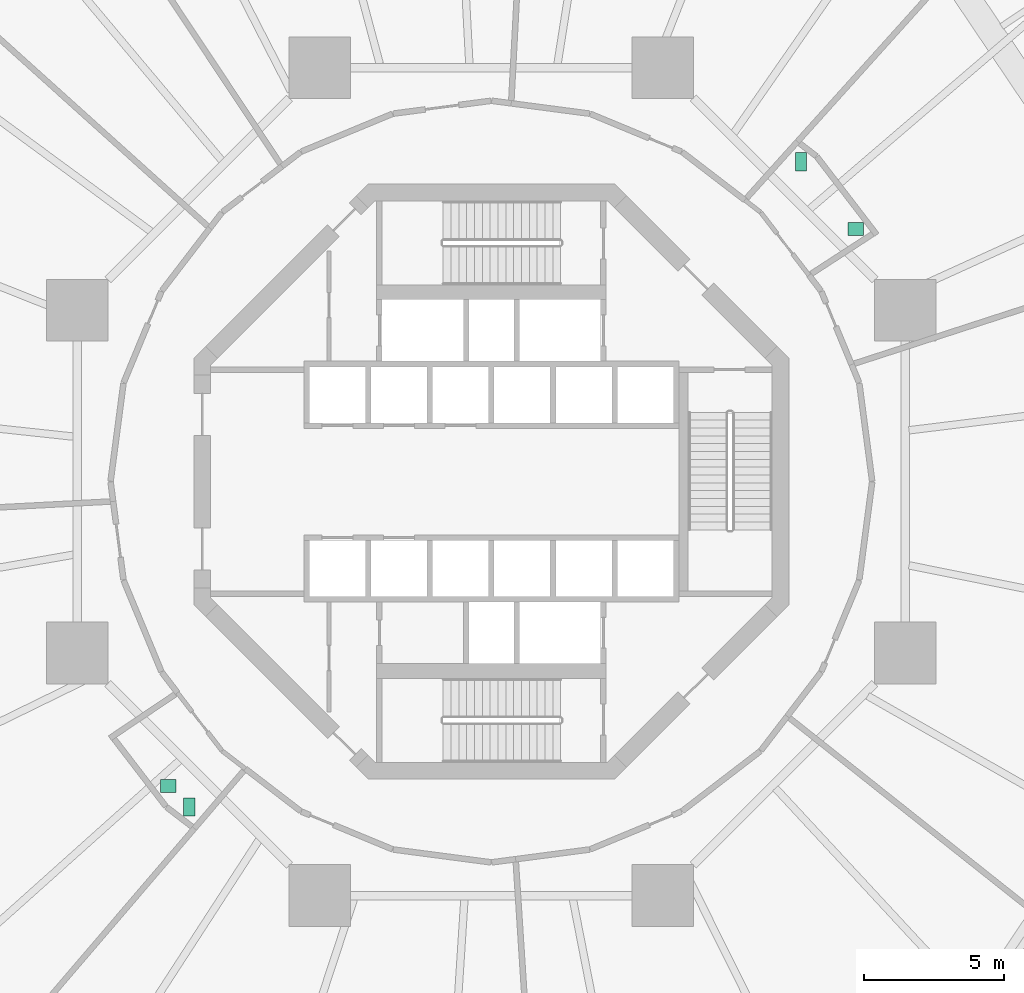
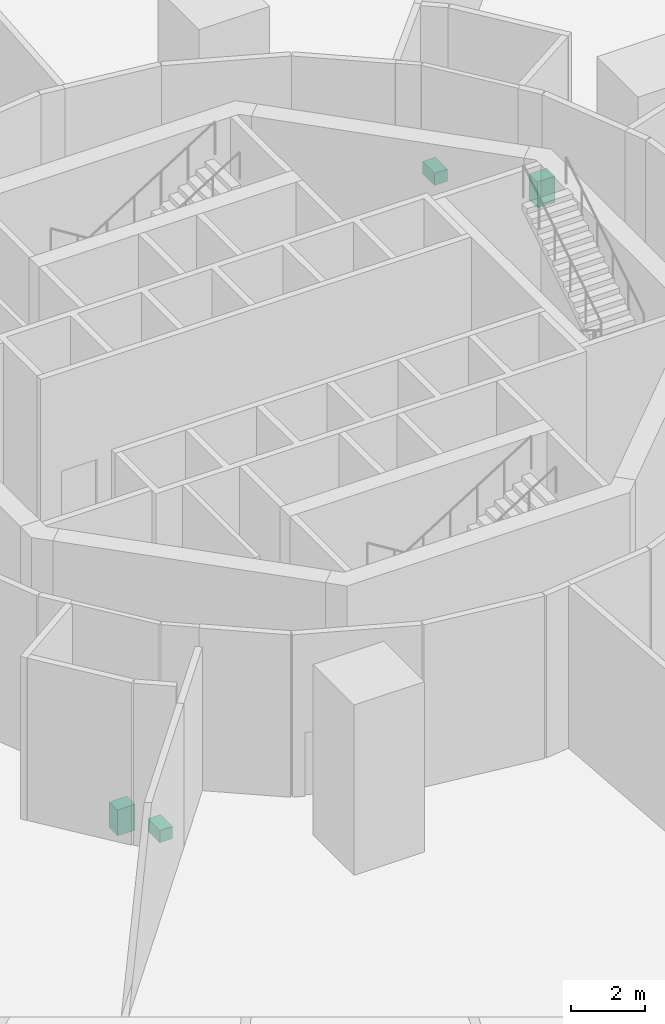
# One storey, part 65 of 65: 4 sanitary terminals.
"""IFC4 building model written with IfcOpenShell, lengths in metres."""

from ifc_helpers import new_model, si_unit, direction, frame, origin, origin_2d, place, context, subcontext, project, spatial, rectangle, extrude, material, type_object, element, save


model = new_model("IFC4")

# Units and contexts
model_context = context("Model", 3, precision=1e-05, world=origin(), true_north=direction((0.0, 1.0)))
body_context = subcontext(model_context, "Body", "Model", "MODEL_VIEW")
ifc_project = project(units=[si_unit("LENGTHUNIT", "METRE"), si_unit("AREAUNIT", "SQUARE_METRE"), si_unit("VOLUMEUNIT", "CUBIC_METRE"), si_unit("PLANEANGLEUNIT", "RADIAN"), si_unit("MASSUNIT", "GRAM", prefix="KILO")], contexts=[model_context])

# Site, building, storey
site_placement = place(None, origin())
site = spatial("IfcSite", under=ifc_project, at=site_placement, CompositionType="ELEMENT")
building_placement = place(site_placement, origin())
building = spatial("IfcBuilding", under=site, at=building_placement, Name="Nagisa Residences", CompositionType="ELEMENT")
storey_placement = place(building_placement, frame((0.0, 0.0, 114.0)))
storey = spatial("IfcBuildingStorey", under=building, at=storey_placement, Name="L28", CompositionType="ELEMENT", Elevation=114.0)

# Sanitary terminals
ifc_material_1 = material(Name="Vitreous china")
sanitary_terminal_type_1 = type_object("IfcSanitaryTerminalType", Name="WC pan", PredefinedType="WCSEAT", material=ifc_material_1)
for number, where, z_axis, x_axis, name in (
    (1, (11.06103515625, 11.419921875, 0.0), (0.0, 0.0, 1.0), (1.0, 0.0, 0.0), "fix:L28:r0t1p0:wc"),
    (2, (-10.7880859375, -11.6201171875, 0.0), (0.0, 0.0, 1.0), (1.0, 0.0, 0.0), "fix:L28:r5t10p0:wc"),
):
    element("IfcSanitaryTerminal", number, at=place(storey_placement, frame(where, z_axis=z_axis, x_axis=x_axis)), inside=storey, type_object=sanitary_terminal_type_1, Name=name, PredefinedType="WCSEAT", context=body_context, shape_type="SweptSolid", body=[
        extrude(rectangle(XDim=0.39990234375, YDim=0.64990234375, at=origin_2d()), origin(), (0.0, 0.0, 1.0), 0.39990234375),
    ])
ifc_material_2 = material(Name="Vitreous china")
sanitary_terminal_type_2 = type_object("IfcSanitaryTerminalType", Name="Wash basin", PredefinedType="WASHHANDBASIN", material=ifc_material_2)
for number, where, z_axis, x_axis, name in (
    (3, (13.010986328125, 9.02001953125, 0.0), (0.0, 0.0, 1.0), (1.0, 0.0, 0.0), "fix:L28:r0t1p0:basin"),
    (4, (-11.5380859375, -10.8701171875, 0.0), (0.0, 0.0, 1.0), (1.0, 0.0, 0.0), "fix:L28:r5t10p0:basin"),
):
    element("IfcSanitaryTerminal", number, at=place(storey_placement, frame(where, z_axis=z_axis, x_axis=x_axis)), inside=storey, type_object=sanitary_terminal_type_2, Name=name, PredefinedType="WASHHANDBASIN", context=body_context, shape_type="SweptSolid", body=[
        extrude(rectangle(XDim=0.550048828125, YDim=0.449951171875, at=origin_2d()), origin(), (0.0, 0.0, 1.0), 0.85009765625),
    ])

save(model, "model.ifc")
